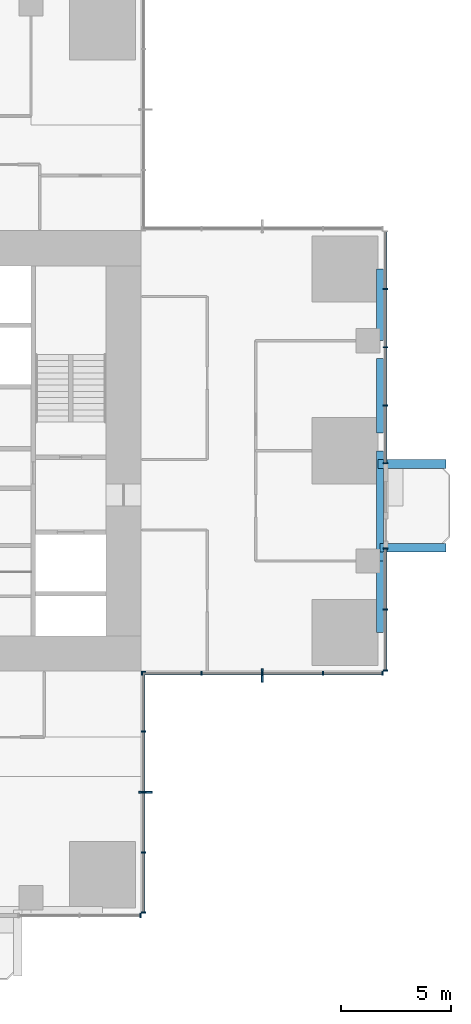
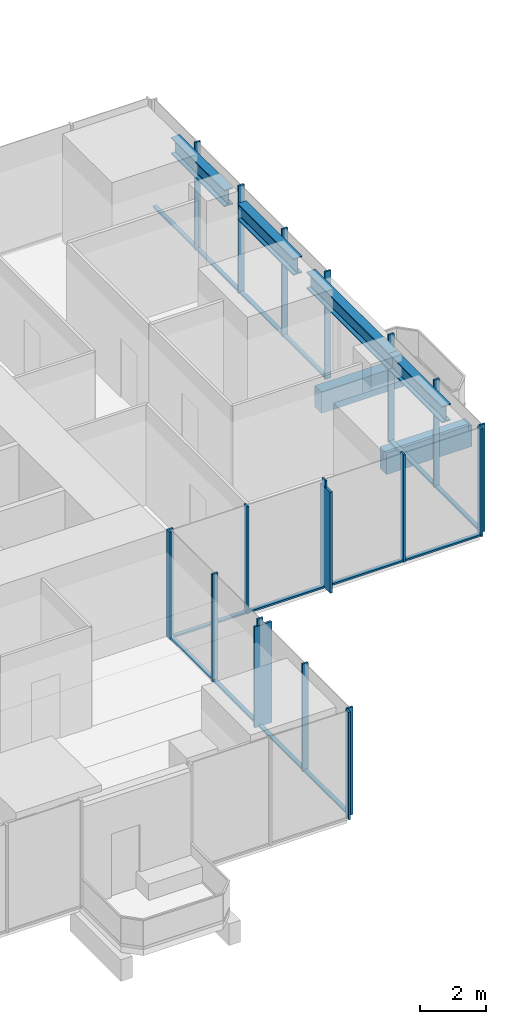
# One storey, part 4 of 13: 34 members, 6 beams, 5 elements without a shape of their own.
"""IFC4 building model written with IfcOpenShell, lengths in metres."""

from ifc_helpers import new_model, si_unit, direction, frame, origin, origin_2d, place, context, subcontext, project, spatial, rectangle, i_section, extrude, material, material_profile, profile_set, type_object, element, aggregate, save


model = new_model("IFC4")

# Units and contexts
model_context = context("Model", 3, precision=1e-05, world=origin(), true_north=direction((0.0, 1.0)))
body_context = subcontext(model_context, "Body", "Model", "MODEL_VIEW")
ifc_project = project(units=[si_unit("LENGTHUNIT", "METRE"), si_unit("AREAUNIT", "SQUARE_METRE"), si_unit("VOLUMEUNIT", "CUBIC_METRE"), si_unit("PLANEANGLEUNIT", "RADIAN"), si_unit("MASSUNIT", "GRAM", prefix="KILO")], contexts=[model_context])

# Site, building, storey
site_placement = place(None, origin())
site = spatial("IfcSite", under=ifc_project, at=site_placement, CompositionType="ELEMENT")
building_placement = place(site_placement, origin())
building = spatial("IfcBuilding", under=site, at=building_placement, Name="Svetlomir Tower", CompositionType="ELEMENT")
storey_placement = place(building_placement, frame((0.0, 0.0, 136.5)))
storey = spatial("IfcBuildingStorey", under=building, at=storey_placement, Name="L32", CompositionType="ELEMENT", Elevation=136.5)

# Beams
ifc_material_1 = material(Name="Concrete C60/75", Category="concrete")
ifc_material_profile_1 = material_profile(ifc_material_1, rectangle(XDim=0.39990234375, YDim=0.800048828125, at=origin_2d()), Name="RC 400x800")
ifc_profile_set_1 = profile_set([ifc_material_profile_1], Name="Concrete C60/75")
beam_type_1 = type_object("IfcBeamType", Name="BALCONY RIB RC 400x800", PredefinedType="BEAM", material=ifc_profile_set_1)
beam_1_placement = place(storey_placement, frame((41.85009765625, 16.60009765625, -0.64990234375), z_axis=(1.0, 0.0, 0.0), x_axis=(0.0, 1.0, 0.0)))
element("IfcBeam", 1, at=beam_1_placement, inside=storey, type_object=beam_type_1, Name="Balcony rib E 1 L32", PredefinedType="BEAM", context=body_context, shape_type="SweptSolid", body=[
    extrude(rectangle(XDim=0.39990234375, YDim=0.800048828125, at=origin_2d()), origin(), (0.0, 0.0, 1.0), 3.0),
])
beam_2_placement = place(storey_placement, frame((41.75, 20.39990234375, -0.64990234375), z_axis=(1.0, 0.0, 0.0), x_axis=(0.0, 1.0, 0.0)))
element("IfcBeam", 2, at=beam_2_placement, inside=storey, type_object=beam_type_1, Name="Balcony rib E 2 L32", PredefinedType="BEAM", context=body_context, shape_type="SweptSolid", body=[
    extrude(rectangle(XDim=0.39990234375, YDim=0.800048828125, at=origin_2d()), origin(), (0.0, 0.0, 1.0), 3.10009765625),
])

# Curtain wall, member
ifc_material_2 = material(Name="Bronze anodised aluminium curtain wall", Category="aluminium")
curtain_wall_type = type_object("IfcCurtainWallType", Name="CURTAIN WALL CW1 TOWER OFFICE", PredefinedType="NOTDEFINED", material=ifc_material_2)
curtain_wall_1_placement = place(storey_placement, origin())
curtain_wall_1 = element("IfcCurtainWall", 3, at=curtain_wall_1_placement, inside=storey, type_object=curtain_wall_type, Name="Curtain wall CW1 L32", PredefinedType="NOTDEFINED")
ifc_material_3 = material(Name="Bronze anodised aluminium", Category="aluminium")
ifc_material_profile_2 = material_profile(ifc_material_3, rectangle(XDim=0.080078125, YDim=0.60009765625, at=origin_2d()), Name="FIN 80x600")
ifc_profile_set_2 = profile_set([ifc_material_profile_2], Name="Bronze anodised aluminium 6063-T6")
member_type_1 = type_object("IfcMemberType", Name="BRONZE FIN 80x600", PredefinedType="USERDEFINED", material=ifc_profile_set_2)
member_1_placement = place(storey_placement, frame((31.199951171875, 5.5, 0.0), z_axis=(0.0, 0.0, 1.0), x_axis=(0.0, 1.0, 0.0)))
member_1 = element("IfcMember", 4, at=member_1_placement, type_object=member_type_1, Name="Bronze fin L32", ObjectType="FIN", PredefinedType="USERDEFINED", context=body_context, shape_type="SweptSolid", body=[
    extrude(rectangle(XDim=0.080078125, YDim=0.60009765625, at=origin_2d()), origin(), (0.0, 0.0, 1.0), 3.75),
])

curtain_wall_2_placement = place(storey_placement, origin())
curtain_wall_2 = element("IfcCurtainWall", 5, at=curtain_wall_2_placement, inside=storey, type_object=curtain_wall_type, Name="Curtain wall CW1 L32", PredefinedType="NOTDEFINED")
member_2_placement = place(storey_placement, frame((36.5, 10.800048828125, 0.0), z_axis=(0.0, 0.0, 1.0), x_axis=(1.0, 0.0, 0.0)))
member_2 = element("IfcMember", 6, at=member_2_placement, type_object=member_type_1, Name="Bronze fin L32", ObjectType="FIN", PredefinedType="USERDEFINED", context=body_context, shape_type="SweptSolid", body=[
    extrude(rectangle(XDim=0.080078125, YDim=0.60009765625, at=origin_2d()), origin(), (0.0, 0.0, 1.0), 3.75),
])

curtain_wall_3_placement = place(storey_placement, origin())
curtain_wall_3 = element("IfcCurtainWall", 7, at=curtain_wall_3_placement, inside=storey, type_object=curtain_wall_type, Name="Curtain wall CW1 L32", PredefinedType="NOTDEFINED")
ifc_material_4 = material(Name="Bronze anodised aluminium", Category="aluminium")
ifc_material_profile_3 = material_profile(ifc_material_4, rectangle(XDim=0.06494140625, YDim=0.199951171875, at=origin_2d()), Name="AL 65x200")
ifc_profile_set_3 = profile_set([ifc_material_profile_3], Name="Bronze anodised aluminium 6063-T6")
member_type_2 = type_object("IfcMemberType", Name="CW1 MULLION 65x200", PredefinedType="MULLION", material=ifc_profile_set_3)
member_3_placement = place(storey_placement, frame((30.967529296875, -0.10009765625, 0.0), z_axis=(0.0, 0.0, 1.0), x_axis=(1.0, 0.0, 0.0)))
member_3 = element("IfcMember", 8, at=member_3_placement, type_object=member_type_2, Name="CW1 mullion 3", PredefinedType="MULLION", context=body_context, shape_type="SweptSolid", body=[
    extrude(rectangle(XDim=0.06494140625, YDim=0.199951171875, at=origin_2d()), origin(), (0.0, 0.0, 1.0), 4.0),
])
aggregate(curtain_wall_3, [member_3])

# Member
member_4_placement = place(storey_placement, frame((31.10009765625, 0.032470703125, 0.0), z_axis=(0.0, 0.0, 1.0), x_axis=(0.0, 1.0, 0.0)))
member_4 = element("IfcMember", 9, at=member_4_placement, type_object=member_type_2, Name="CW1 mullion 1", PredefinedType="MULLION", context=body_context, shape_type="SweptSolid", body=[
    extrude(rectangle(XDim=0.06494140625, YDim=0.199951171875, at=origin_2d()), origin(), (0.0, 0.0, 1.0), 4.0),
])

member_5_placement = place(storey_placement, frame((31.10009765625, 2.75, 0.0), z_axis=(0.0, 0.0, 1.0), x_axis=(0.0, 1.0, 0.0)))
member_5 = element("IfcMember", 10, at=member_5_placement, type_object=member_type_2, Name="CW1 mullion 2", PredefinedType="MULLION", context=body_context, shape_type="SweptSolid", body=[
    extrude(rectangle(XDim=0.06494140625, YDim=0.199951171875, at=origin_2d()), origin(), (0.0, 0.0, 1.0), 4.0),
])

member_6_placement = place(storey_placement, frame((31.10009765625, 5.5, 0.0), z_axis=(0.0, 0.0, 1.0), x_axis=(0.0, 1.0, 0.0)))
member_6 = element("IfcMember", 11, at=member_6_placement, type_object=member_type_2, Name="CW1 mullion 3", PredefinedType="MULLION", context=body_context, shape_type="SweptSolid", body=[
    extrude(rectangle(XDim=0.06494140625, YDim=0.199951171875, at=origin_2d()), origin(), (0.0, 0.0, 1.0), 4.0),
])

member_7_placement = place(storey_placement, frame((31.10009765625, 8.25, 0.0), z_axis=(0.0, 0.0, 1.0), x_axis=(0.0, 1.0, 0.0)))
member_7 = element("IfcMember", 12, at=member_7_placement, type_object=member_type_2, Name="CW1 mullion 4", PredefinedType="MULLION", context=body_context, shape_type="SweptSolid", body=[
    extrude(rectangle(XDim=0.06494140625, YDim=0.199951171875, at=origin_2d()), origin(), (0.0, 0.0, 1.0), 4.0),
])

member_8_placement = place(storey_placement, frame((31.10009765625, 10.967529296875, 0.0), z_axis=(0.0, 0.0, 1.0), x_axis=(0.0, 1.0, 0.0)))
member_8 = element("IfcMember", 13, at=member_8_placement, type_object=member_type_2, Name="CW1 mullion 5", PredefinedType="MULLION", context=body_context, shape_type="SweptSolid", body=[
    extrude(rectangle(XDim=0.06494140625, YDim=0.199951171875, at=origin_2d()), origin(), (0.0, 0.0, 1.0), 4.0),
])

member_9_placement = place(storey_placement, frame((31.032470703125, 10.89990234375, 0.0), z_axis=(0.0, 0.0, 1.0), x_axis=(1.0, 0.0, 0.0)))
member_9 = element("IfcMember", 14, at=member_9_placement, type_object=member_type_2, Name="CW1 mullion 1", PredefinedType="MULLION", context=body_context, shape_type="SweptSolid", body=[
    extrude(rectangle(XDim=0.06494140625, YDim=0.199951171875, at=origin_2d()), origin(), (0.0, 0.0, 1.0), 4.0),
])

member_10_placement = place(storey_placement, frame((33.75, 10.89990234375, 0.0), z_axis=(0.0, 0.0, 1.0), x_axis=(1.0, 0.0, 0.0)))
member_10 = element("IfcMember", 15, at=member_10_placement, type_object=member_type_2, Name="CW1 mullion 2", PredefinedType="MULLION", context=body_context, shape_type="SweptSolid", body=[
    extrude(rectangle(XDim=0.06494140625, YDim=0.199951171875, at=origin_2d()), origin(), (0.0, 0.0, 1.0), 4.0),
])

member_11_placement = place(storey_placement, frame((36.5, 10.89990234375, 0.0), z_axis=(0.0, 0.0, 1.0), x_axis=(1.0, 0.0, 0.0)))
member_11 = element("IfcMember", 16, at=member_11_placement, type_object=member_type_2, Name="CW1 mullion 3", PredefinedType="MULLION", context=body_context, shape_type="SweptSolid", body=[
    extrude(rectangle(XDim=0.06494140625, YDim=0.199951171875, at=origin_2d()), origin(), (0.0, 0.0, 1.0), 4.0),
])

member_12_placement = place(storey_placement, frame((39.25, 10.89990234375, 0.0), z_axis=(0.0, 0.0, 1.0), x_axis=(1.0, 0.0, 0.0)))
member_12 = element("IfcMember", 17, at=member_12_placement, type_object=member_type_2, Name="CW1 mullion 4", PredefinedType="MULLION", context=body_context, shape_type="SweptSolid", body=[
    extrude(rectangle(XDim=0.06494140625, YDim=0.199951171875, at=origin_2d()), origin(), (0.0, 0.0, 1.0), 4.0),
])

member_13_placement = place(storey_placement, frame((41.967529296875, 10.89990234375, 0.0), z_axis=(0.0, 0.0, 1.0), x_axis=(1.0, 0.0, 0.0)))
member_13 = element("IfcMember", 18, at=member_13_placement, type_object=member_type_2, Name="CW1 mullion 5", PredefinedType="MULLION", context=body_context, shape_type="SweptSolid", body=[
    extrude(rectangle(XDim=0.06494140625, YDim=0.199951171875, at=origin_2d()), origin(), (0.0, 0.0, 1.0), 4.0),
])

# Curtain wall, members
curtain_wall_4_placement = place(storey_placement, origin())
curtain_wall_4 = element("IfcCurtainWall", 19, at=curtain_wall_4_placement, inside=storey, type_object=curtain_wall_type, Name="Curtain wall CW1 L32", PredefinedType="NOTDEFINED")
member_14_placement = place(storey_placement, frame((42.10009765625, 11.032470703125, 0.0), z_axis=(0.0, 0.0, 1.0), x_axis=(0.0, 1.0, 0.0)))
member_14 = element("IfcMember", 20, at=member_14_placement, type_object=member_type_2, Name="CW1 mullion 1", PredefinedType="MULLION", context=body_context, shape_type="SweptSolid", body=[
    extrude(rectangle(XDim=0.06494140625, YDim=0.199951171875, at=origin_2d()), origin(), (0.0, 0.0, 1.0), 4.0),
])
member_15_placement = place(storey_placement, frame((42.10009765625, 13.800048828125, 0.0), z_axis=(0.0, 0.0, 1.0), x_axis=(0.0, 1.0, 0.0)))
member_15 = element("IfcMember", 21, at=member_15_placement, type_object=member_type_2, Name="CW1 mullion 2", PredefinedType="MULLION", context=body_context, shape_type="SweptSolid", body=[
    extrude(rectangle(XDim=0.06494140625, YDim=0.199951171875, at=origin_2d()), origin(), (0.0, 0.0, 1.0), 4.0),
])
member_16_placement = place(storey_placement, frame((42.10009765625, 16.5673828125, 0.0), z_axis=(0.0, 0.0, 1.0), x_axis=(0.0, 1.0, 0.0)))
member_16 = element("IfcMember", 22, at=member_16_placement, type_object=member_type_2, Name="CW1 mullion 3", PredefinedType="MULLION", context=body_context, shape_type="SweptSolid", body=[
    extrude(rectangle(XDim=0.06494140625, YDim=0.199951171875, at=origin_2d()), origin(), (0.0, 0.0, 1.0), 4.0),
])

curtain_wall_5_placement = place(storey_placement, origin())
curtain_wall_5 = element("IfcCurtainWall", 23, at=curtain_wall_5_placement, inside=storey, type_object=curtain_wall_type, Name="Curtain wall CW1 L32", PredefinedType="NOTDEFINED")
member_17_placement = place(storey_placement, frame((42.10009765625, 20.4326171875, 0.0), z_axis=(0.0, 0.0, 1.0), x_axis=(0.0, 1.0, 0.0)))
member_17 = element("IfcMember", 24, at=member_17_placement, type_object=member_type_2, Name="CW1 mullion 1", PredefinedType="MULLION", context=body_context, shape_type="SweptSolid", body=[
    extrude(rectangle(XDim=0.06494140625, YDim=0.199951171875, at=origin_2d()), origin(), (0.0, 0.0, 1.0), 4.0),
])
member_18_placement = place(storey_placement, frame((42.10009765625, 23.050048828125, 0.0), z_axis=(0.0, 0.0, 1.0), x_axis=(0.0, 1.0, 0.0)))
member_18 = element("IfcMember", 25, at=member_18_placement, type_object=member_type_2, Name="CW1 mullion 2", PredefinedType="MULLION", context=body_context, shape_type="SweptSolid", body=[
    extrude(rectangle(XDim=0.06494140625, YDim=0.199951171875, at=origin_2d()), origin(), (0.0, 0.0, 1.0), 4.0),
])
member_19_placement = place(storey_placement, frame((42.10009765625, 25.699951171875, 0.0), z_axis=(0.0, 0.0, 1.0), x_axis=(0.0, 1.0, 0.0)))
member_19 = element("IfcMember", 26, at=member_19_placement, type_object=member_type_2, Name="CW1 mullion 3", PredefinedType="MULLION", context=body_context, shape_type="SweptSolid", body=[
    extrude(rectangle(XDim=0.06494140625, YDim=0.199951171875, at=origin_2d()), origin(), (0.0, 0.0, 1.0), 4.0),
])
member_20_placement = place(storey_placement, frame((42.10009765625, 28.35009765625, 0.0), z_axis=(0.0, 0.0, 1.0), x_axis=(0.0, 1.0, 0.0)))
member_20 = element("IfcMember", 27, at=member_20_placement, type_object=member_type_2, Name="CW1 mullion 4", PredefinedType="MULLION", context=body_context, shape_type="SweptSolid", body=[
    extrude(rectangle(XDim=0.06494140625, YDim=0.199951171875, at=origin_2d()), origin(), (0.0, 0.0, 1.0), 4.0),
])

# Member
ifc_material_5 = material(Name="Bronze anodised aluminium", Category="aluminium")
ifc_material_profile_4 = material_profile(ifc_material_5, rectangle(XDim=0.139892578125, YDim=0.06494140625, at=origin_2d()), Name="AL 140x65")
ifc_profile_set_4 = profile_set([ifc_material_profile_4], Name="Bronze anodised aluminium 6063-T6")
member_type_3 = type_object("IfcMemberType", Name="CW1 TRANSOM 65x140", PredefinedType="USERDEFINED", material=ifc_profile_set_4)
member_21_placement = place(storey_placement, frame((31.10009765625, 0.06494140625, 0.032470703125), z_axis=(0.0, 1.0, 0.0), x_axis=(-1.0, 0.0, 0.0)))
member_21 = element("IfcMember", 28, at=member_21_placement, type_object=member_type_3, Name="CW1 transom 1.1", ObjectType="TRANSOM", PredefinedType="USERDEFINED", context=body_context, shape_type="SweptSolid", body=[
    extrude(rectangle(XDim=0.139892578125, YDim=0.06494140625, at=origin_2d()), origin(), (0.0, 0.0, 1.0), 2.652587890625),
])

member_22_placement = place(storey_placement, frame((31.10009765625, 2.782470703125, 0.032470703125), z_axis=(0.0, 1.0, 0.0), x_axis=(-1.0, 0.0, 0.0)))
member_22 = element("IfcMember", 29, at=member_22_placement, type_object=member_type_3, Name="CW1 transom 2.1", ObjectType="TRANSOM", PredefinedType="USERDEFINED", context=body_context, shape_type="SweptSolid", body=[
    extrude(rectangle(XDim=0.139892578125, YDim=0.06494140625, at=origin_2d()), origin(), (0.0, 0.0, 1.0), 2.68505859375),
])

member_23_placement = place(storey_placement, frame((31.10009765625, 5.532470703125, 0.032470703125), z_axis=(0.0, 1.0, 0.0), x_axis=(-1.0, 0.0, 0.0)))
member_23 = element("IfcMember", 30, at=member_23_placement, type_object=member_type_3, Name="CW1 transom 3.1", ObjectType="TRANSOM", PredefinedType="USERDEFINED", context=body_context, shape_type="SweptSolid", body=[
    extrude(rectangle(XDim=0.139892578125, YDim=0.06494140625, at=origin_2d()), origin(), (0.0, 0.0, 1.0), 2.68505859375),
])

member_24_placement = place(storey_placement, frame((31.10009765625, 8.282470703125, 0.032470703125), z_axis=(0.0, 1.0, 0.0), x_axis=(-1.0, 0.0, 0.0)))
member_24 = element("IfcMember", 31, at=member_24_placement, type_object=member_type_3, Name="CW1 transom 4.1", ObjectType="TRANSOM", PredefinedType="USERDEFINED", context=body_context, shape_type="SweptSolid", body=[
    extrude(rectangle(XDim=0.139892578125, YDim=0.06494140625, at=origin_2d()), origin(), (0.0, 0.0, 1.0), 2.652587890625),
])

aggregate(curtain_wall_1, [member_4, member_5, member_6, member_7, member_8, member_21, member_22, member_23, member_24, member_1])

member_25_placement = place(storey_placement, frame((31.06494140625, 10.89990234375, 0.032470703125), z_axis=(1.0, 0.0, 0.0), x_axis=(0.0, 1.0, 0.0)))
member_25 = element("IfcMember", 32, at=member_25_placement, type_object=member_type_3, Name="CW1 transom 1.1", ObjectType="TRANSOM", PredefinedType="USERDEFINED", context=body_context, shape_type="SweptSolid", body=[
    extrude(rectangle(XDim=0.139892578125, YDim=0.06494140625, at=origin_2d()), origin(), (0.0, 0.0, 1.0), 2.652587890625),
])

member_26_placement = place(storey_placement, frame((33.782470703125, 10.89990234375, 0.032470703125), z_axis=(1.0, 0.0, 0.0), x_axis=(0.0, 1.0, 0.0)))
member_26 = element("IfcMember", 33, at=member_26_placement, type_object=member_type_3, Name="CW1 transom 2.1", ObjectType="TRANSOM", PredefinedType="USERDEFINED", context=body_context, shape_type="SweptSolid", body=[
    extrude(rectangle(XDim=0.139892578125, YDim=0.06494140625, at=origin_2d()), origin(), (0.0, 0.0, 1.0), 2.68505859375),
])

member_27_placement = place(storey_placement, frame((36.532470703125, 10.89990234375, 0.032470703125), z_axis=(1.0, 0.0, 0.0), x_axis=(0.0, 1.0, 0.0)))
member_27 = element("IfcMember", 34, at=member_27_placement, type_object=member_type_3, Name="CW1 transom 3.1", ObjectType="TRANSOM", PredefinedType="USERDEFINED", context=body_context, shape_type="SweptSolid", body=[
    extrude(rectangle(XDim=0.139892578125, YDim=0.06494140625, at=origin_2d()), origin(), (0.0, 0.0, 1.0), 2.68505859375),
])

member_28_placement = place(storey_placement, frame((39.282470703125, 10.89990234375, 0.032470703125), z_axis=(1.0, 0.0, 0.0), x_axis=(0.0, 1.0, 0.0)))
member_28 = element("IfcMember", 35, at=member_28_placement, type_object=member_type_3, Name="CW1 transom 4.1", ObjectType="TRANSOM", PredefinedType="USERDEFINED", context=body_context, shape_type="SweptSolid", body=[
    extrude(rectangle(XDim=0.139892578125, YDim=0.06494140625, at=origin_2d()), origin(), (0.0, 0.0, 1.0), 2.652587890625),
])

aggregate(curtain_wall_2, [member_9, member_10, member_11, member_12, member_13, member_25, member_26, member_27, member_28, member_2])

member_29_placement = place(storey_placement, frame((42.10009765625, 11.06494140625, 0.032470703125), z_axis=(0.0, 1.0, 0.0), x_axis=(-1.0, 0.0, 0.0)))
member_29 = element("IfcMember", 36, at=member_29_placement, type_object=member_type_3, Name="CW1 transom 1.1", ObjectType="TRANSOM", PredefinedType="USERDEFINED", context=body_context, shape_type="SweptSolid", body=[
    extrude(rectangle(XDim=0.139892578125, YDim=0.06494140625, at=origin_2d()), origin(), (0.0, 0.0, 1.0), 2.70263671875),
])

member_30_placement = place(storey_placement, frame((42.10009765625, 13.83251953125, 0.032470703125), z_axis=(0.0, 1.0, 0.0), x_axis=(-1.0, 0.0, 0.0)))
member_30 = element("IfcMember", 37, at=member_30_placement, type_object=member_type_3, Name="CW1 transom 2.1", ObjectType="TRANSOM", PredefinedType="USERDEFINED", context=body_context, shape_type="SweptSolid", body=[
    extrude(rectangle(XDim=0.139892578125, YDim=0.06494140625, at=origin_2d()), origin(), (0.0, 0.0, 1.0), 2.702392578125),
])

aggregate(curtain_wall_4, [member_14, member_15, member_16, member_29, member_30])

member_31_placement = place(storey_placement, frame((42.10009765625, 20.465087890625, 0.032470703125), z_axis=(0.0, 1.0, 0.0), x_axis=(-1.0, 0.0, 0.0)))
member_31 = element("IfcMember", 38, at=member_31_placement, type_object=member_type_3, Name="CW1 transom 1.1", ObjectType="TRANSOM", PredefinedType="USERDEFINED", context=body_context, shape_type="SweptSolid", body=[
    extrude(rectangle(XDim=0.139892578125, YDim=0.06494140625, at=origin_2d()), origin(), (0.0, 0.0, 1.0), 2.552490234375),
])

member_32_placement = place(storey_placement, frame((42.10009765625, 23.08251953125, 0.032470703125), z_axis=(0.0, 1.0, 0.0), x_axis=(-1.0, 0.0, 0.0)))
member_32 = element("IfcMember", 39, at=member_32_placement, type_object=member_type_3, Name="CW1 transom 2.1", ObjectType="TRANSOM", PredefinedType="USERDEFINED", context=body_context, shape_type="SweptSolid", body=[
    extrude(rectangle(XDim=0.139892578125, YDim=0.06494140625, at=origin_2d()), origin(), (0.0, 0.0, 1.0), 2.5849609375),
])

member_33_placement = place(storey_placement, frame((42.10009765625, 25.732421875, 0.032470703125), z_axis=(0.0, 1.0, 0.0), x_axis=(-1.0, 0.0, 0.0)))
member_33 = element("IfcMember", 40, at=member_33_placement, type_object=member_type_3, Name="CW1 transom 3.1", ObjectType="TRANSOM", PredefinedType="USERDEFINED", context=body_context, shape_type="SweptSolid", body=[
    extrude(rectangle(XDim=0.139892578125, YDim=0.06494140625, at=origin_2d()), origin(), (0.0, 0.0, 1.0), 2.5849609375),
])

member_34_placement = place(storey_placement, frame((42.10009765625, 28.382568359375, 0.032470703125), z_axis=(0.0, 1.0, 0.0), x_axis=(-1.0, 0.0, 0.0)))
member_34 = element("IfcMember", 41, at=member_34_placement, type_object=member_type_3, Name="CW1 transom 4.1", ObjectType="TRANSOM", PredefinedType="USERDEFINED", context=body_context, shape_type="SweptSolid", body=[
    extrude(rectangle(XDim=0.139892578125, YDim=0.06494140625, at=origin_2d()), origin(), (0.0, 0.0, 1.0), 2.552490234375),
])

aggregate(curtain_wall_5, [member_17, member_18, member_19, member_20, member_31, member_32, member_33, member_34])

# Beams
ifc_material_6 = material(Name="Steel S355", Category="steel")
ifc_material_profile_5 = material_profile(ifc_material_6, i_section(OverallWidth=0.304931640625, OverallDepth=0.6201171875, WebThickness=0.02099609375, FlangeThickness=0.0400390625, FilletRadius=0.027099609375, at=origin_2d()), Name="HEM 600")
ifc_profile_set_5 = profile_set([ifc_material_profile_5], Name="Steel S355")
beam_type_2 = type_object("IfcBeamType", Name="EDGE BEAM HEM 600", PredefinedType="SPANDREL", material=ifc_profile_set_5)
beam_3_placement = place(storey_placement, frame((41.847412109375, 12.75, 3.43994140625), z_axis=(0.0, 1.0, 0.0), x_axis=(-1.0, 0.0, 0.0)))
element("IfcBeam", 42, at=beam_3_placement, inside=storey, type_object=beam_type_2, Name="Edge beam 42/11 to 42/16 under L33", PredefinedType="SPANDREL", context=body_context, shape_type="SweptSolid", body=[
    extrude(i_section(OverallWidth=0.304931640625, OverallDepth=0.6201171875, WebThickness=0.02099609375, FlangeThickness=0.0400390625, FilletRadius=0.027099609375, at=origin_2d()), origin(), (0.0, 0.0, 1.0), 3.25),
])
beam_4_placement = place(storey_placement, frame((41.847412109375, 16.0, 3.43994140625), z_axis=(0.0, 1.0, 0.0), x_axis=(-1.0, 0.0, 0.0)))
element("IfcBeam", 43, at=beam_4_placement, inside=storey, type_object=beam_type_2, Name="Edge beam 42/16 to 42/21 under L33", PredefinedType="SPANDREL", context=body_context, shape_type="SweptSolid", body=[
    extrude(i_section(OverallWidth=0.304931640625, OverallDepth=0.6201171875, WebThickness=0.02099609375, FlangeThickness=0.0400390625, FilletRadius=0.027099609375, at=origin_2d()), origin(), (0.0, 0.0, 1.0), 5.0),
])
beam_5_placement = place(storey_placement, frame((41.847412109375, 21.800048828125, 3.43994140625), z_axis=(0.0, 1.0, 0.0), x_axis=(-1.0, 0.0, 0.0)))
element("IfcBeam", 44, at=beam_5_placement, inside=storey, type_object=beam_type_2, Name="Edge beam 42/21 to 42/26 under L33", PredefinedType="SPANDREL", context=body_context, shape_type="SweptSolid", body=[
    extrude(i_section(OverallWidth=0.304931640625, OverallDepth=0.6201171875, WebThickness=0.02099609375, FlangeThickness=0.0400390625, FilletRadius=0.027099609375, at=origin_2d()), origin(), (0.0, 0.0, 1.0), 3.39990234375),
])
beam_6_placement = place(storey_placement, frame((41.847412109375, 26.0, 3.43994140625), z_axis=(0.0, 1.0, 0.0), x_axis=(-1.0, 0.0, 0.0)))
element("IfcBeam", 45, at=beam_6_placement, inside=storey, type_object=beam_type_2, Name="Edge beam 42/26 to 42/31 under L33", PredefinedType="SPANDREL", context=body_context, shape_type="SweptSolid", body=[
    extrude(i_section(OverallWidth=0.304931640625, OverallDepth=0.6201171875, WebThickness=0.02099609375, FlangeThickness=0.0400390625, FilletRadius=0.027099609375, at=origin_2d()), origin(), (0.0, 0.0, 1.0), 3.25),
])

save(model, "model.ifc")
